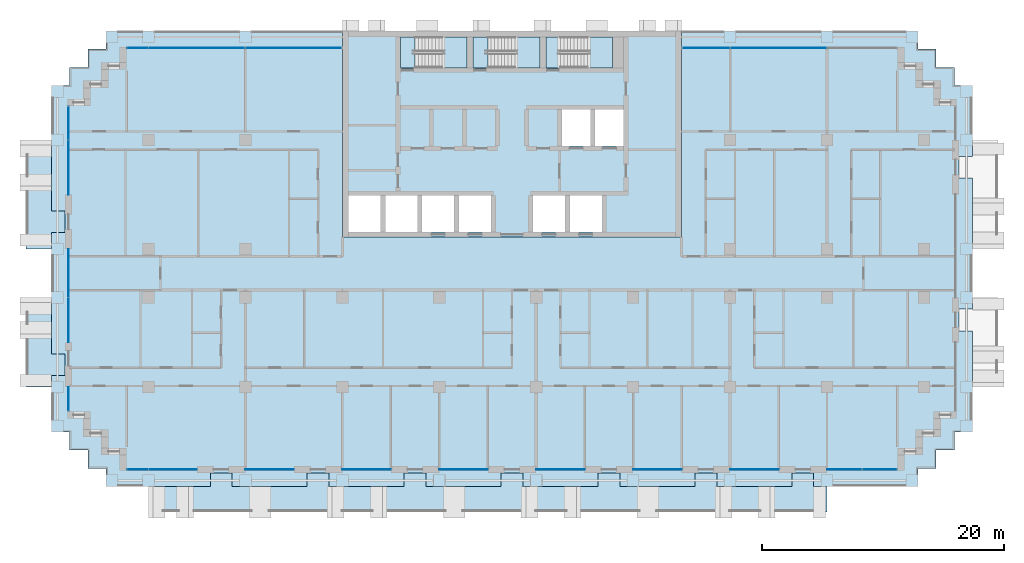
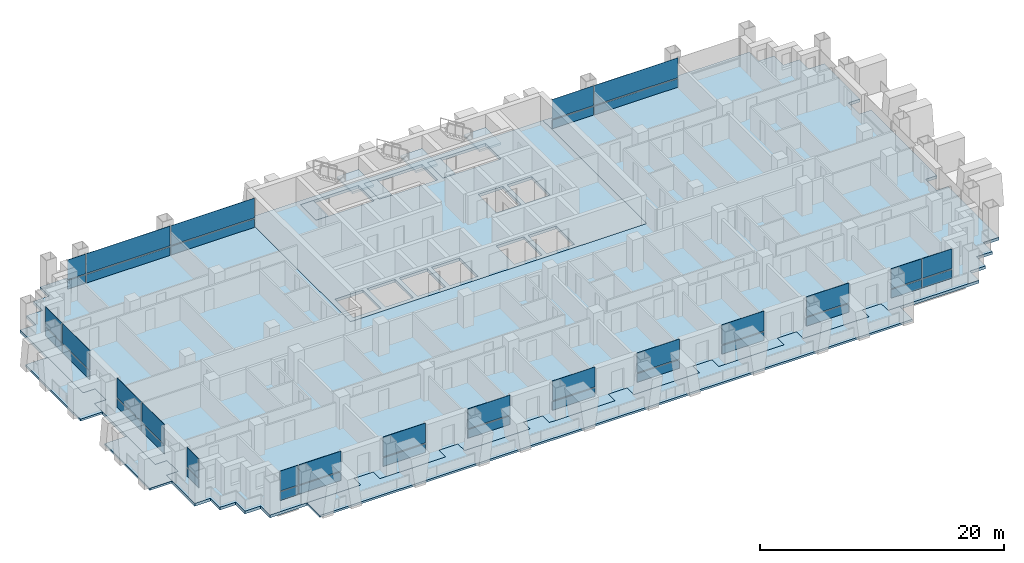
# One storey, part 7 of 18: 40 plates, 11 slabs, 16 elements without a shape of their own.
"""IFC4 building model written with IfcOpenShell, lengths in metres."""

from ifc_helpers import new_model, si_unit, direction, frame, origin, origin_2d, place, context, subcontext, project, spatial, polyline, rectangle, outline, extrude, material, layer, layer_set, type_object, element, aggregate, save


model = new_model("IFC4")

# Units and contexts
model_context = context("Model", 3, precision=1e-05, world=origin(), true_north=direction((0.0, 1.0)))
body_context = subcontext(model_context, "Body", "Model", "MODEL_VIEW")
ifc_project = project(units=[si_unit("LENGTHUNIT", "METRE"), si_unit("AREAUNIT", "SQUARE_METRE"), si_unit("VOLUMEUNIT", "CUBIC_METRE"), si_unit("PLANEANGLEUNIT", "RADIAN"), si_unit("MASSUNIT", "GRAM", prefix="KILO")], contexts=[model_context])

# Site, building, storey
site_placement = place(None, origin())
site = spatial("IfcSite", under=ifc_project, at=site_placement, CompositionType="ELEMENT")
building_placement = place(site_placement, origin())
building = spatial("IfcBuilding", under=site, at=building_placement, Name="Vidyagriha Tower", CompositionType="ELEMENT")
storey_placement = place(building_placement, frame((0.0, 0.0, 41.60009765625)))
storey = spatial("IfcBuildingStorey", under=building, at=storey_placement, Name="L10", CompositionType="ELEMENT", Elevation=41.60009765625)

# Curtain wall, plate
ifc_material_1 = material(Name="Aluminium and glass curtain wall", Category="aluminium")
curtain_wall_type = type_object("IfcCurtainWallType", Name="Dwelling skin unitised curtain wall", PredefinedType="USERDEFINED", material=ifc_material_1)
curtain_wall_1_placement = place(storey_placement, origin())
curtain_wall_1 = element("IfcCurtainWall", 1, at=curtain_wall_1_placement, inside=storey, type_object=curtain_wall_type, Name="CW1 dwelling skin", ObjectType="UNITISED", PredefinedType="USERDEFINED")
ifc_material_2 = material(Name="Glass dark ceramic-fritted spandrel", Category="glass")
ifc_layer_1 = layer(ifc_material_2, 0.0400390625)
ifc_layer_set_1 = layer_set([ifc_layer_1], Name="Glass dark ceramic-fritted spandrel")
plate_type_1 = type_object("IfcPlateType", Name="Ceramic-fritted spandrel panel", PredefinedType="CURTAIN_PANEL", material=ifc_layer_set_1)
plate_1_placement = place(storey_placement, frame((16.017578125, 18.60009765625, -0.000244140625), z_axis=(0.0, 0.0, 1.0), x_axis=(-1.0, 0.0, 0.0)))
plate_1 = element("IfcPlate", 2, at=plate_1_placement, type_object=plate_type_1, Name="CW1 panel 3.1", PredefinedType="CURTAIN_PANEL", context=body_context, shape_type="SweptSolid", body=[
    extrude(rectangle(XDim=3.89501953125, YDim=0.0400390625, at=origin_2d()), origin(), (0.0, 0.0, 1.0), 0.85009765625),
])

# Curtain wall, plates
curtain_wall_2_placement = place(storey_placement, origin())
curtain_wall_2 = element("IfcCurtainWall", 3, at=curtain_wall_2_placement, inside=storey, type_object=curtain_wall_type, Name="CW1 dwelling skin", ObjectType="UNITISED", PredefinedType="USERDEFINED")
plate_2_placement = place(storey_placement, frame((-18.017578125, 18.60009765625, -0.000244140625), z_axis=(0.0, 0.0, 1.0), x_axis=(-1.0, 0.0, 0.0)))
plate_2 = element("IfcPlate", 4, at=plate_2_placement, type_object=plate_type_1, Name="CW1 panel 1.1", PredefinedType="CURTAIN_PANEL", context=body_context, shape_type="SweptSolid", body=[
    extrude(rectangle(XDim=7.89501953125, YDim=0.0400390625, at=origin_2d()), origin(), (0.0, 0.0, 1.0), 0.85009765625),
])
plate_3_placement = place(storey_placement, frame((-30.882568359375, 18.60009765625, -0.000244140625), z_axis=(0.0, 0.0, 1.0), x_axis=(-1.0, 0.0, 0.0)))
plate_3 = element("IfcPlate", 5, at=plate_3_placement, type_object=plate_type_1, Name="CW1 panel 3.1", PredefinedType="CURTAIN_PANEL", context=body_context, shape_type="SweptSolid", body=[
    extrude(rectangle(XDim=1.695068359375, YDim=0.0400390625, at=origin_2d()), origin(), (0.0, 0.0, 1.0), 0.85009765625),
])

curtain_wall_3_placement = place(storey_placement, origin())
curtain_wall_3 = element("IfcCurtainWall", 6, at=curtain_wall_3_placement, inside=storey, type_object=curtain_wall_type, Name="CW1 dwelling skin", ObjectType="UNITISED", PredefinedType="USERDEFINED")
plate_4_placement = place(storey_placement, frame((-36.60009765625, 12.382568359375, -0.000244140625), z_axis=(0.0, 0.0, 1.0), x_axis=(0.0, -1.0, 0.0)))
plate_4 = element("IfcPlate", 7, at=plate_4_placement, type_object=plate_type_1, Name="CW1 panel 1.1", PredefinedType="CURTAIN_PANEL", context=body_context, shape_type="SweptSolid", body=[
    extrude(rectangle(XDim=2.695068359375, YDim=0.0400390625, at=origin_2d()), origin(), (0.0, 0.0, 1.0), 0.85009765625),
])
plate_5_placement = place(storey_placement, frame((-36.60009765625, 8.732421875, -0.000244140625), z_axis=(0.0, 0.0, 1.0), x_axis=(0.0, -1.0, 0.0)))
plate_5 = element("IfcPlate", 8, at=plate_5_placement, type_object=plate_type_1, Name="CW1 panel 2.1", PredefinedType="CURTAIN_PANEL", context=body_context, shape_type="SweptSolid", body=[
    extrude(rectangle(XDim=4.465087890625, YDim=0.0400390625, at=origin_2d()), origin(), (0.0, 0.0, 1.0), 0.85009765625),
])

# Curtain wall, plate
curtain_wall_4_placement = place(storey_placement, origin())
curtain_wall_4 = element("IfcCurtainWall", 9, at=curtain_wall_4_placement, inside=storey, type_object=curtain_wall_type, Name="CW1 dwelling skin", ObjectType="UNITISED", PredefinedType="USERDEFINED")
plate_6_placement = place(storey_placement, frame((-36.60009765625, -10.364990234375, -0.000244140625), z_axis=(0.0, 0.0, 1.0), x_axis=(0.0, -1.0, 0.0)))
plate_6 = element("IfcPlate", 10, at=plate_6_placement, type_object=plate_type_1, Name="CW1 panel 1.1", PredefinedType="CURTAIN_PANEL", context=body_context, shape_type="SweptSolid", body=[
    extrude(rectangle(XDim=1.929931640625, YDim=0.0400390625, at=origin_2d()), origin(), (0.0, 0.0, 1.0), 0.85009765625),
])

# Curtain wall, plates
curtain_wall_5_placement = place(storey_placement, origin())
curtain_wall_5 = element("IfcCurtainWall", 11, at=curtain_wall_5_placement, inside=storey, type_object=curtain_wall_type, Name="CW1 dwelling skin", ObjectType="UNITISED", PredefinedType="USERDEFINED")
plate_7_placement = place(storey_placement, frame((-30.882568359375, -16.199951171875, -0.000244140625)))
plate_7 = element("IfcPlate", 12, at=plate_7_placement, type_object=plate_type_1, Name="CW1 panel 1.1", PredefinedType="CURTAIN_PANEL", context=body_context, shape_type="SweptSolid", body=[
    extrude(rectangle(XDim=1.695068359375, YDim=0.0400390625, at=origin_2d()), origin(), (0.0, 0.0, 1.0), 0.85009765625),
])
plate_8_placement = place(storey_placement, frame((-27.982421875, -16.199951171875, -0.000244140625)))
plate_8 = element("IfcPlate", 13, at=plate_8_placement, type_object=plate_type_1, Name="CW1 panel 2.1", PredefinedType="CURTAIN_PANEL", context=body_context, shape_type="SweptSolid", body=[
    extrude(rectangle(XDim=3.965087890625, YDim=0.0400390625, at=origin_2d()), origin(), (0.0, 0.0, 1.0), 0.85009765625),
])

# Curtain wall, plate
curtain_wall_6_placement = place(storey_placement, origin())
curtain_wall_6 = element("IfcCurtainWall", 14, at=curtain_wall_6_placement, inside=storey, type_object=curtain_wall_type, Name="CW1 dwelling skin", ObjectType="UNITISED", PredefinedType="USERDEFINED")
plate_9_placement = place(storey_placement, frame((-12.0, -16.199951171875, -0.000244140625)))
plate_9 = element("IfcPlate", 15, at=plate_9_placement, type_object=plate_type_1, Name="CW1 panel 1.1", PredefinedType="CURTAIN_PANEL", context=body_context, shape_type="SweptSolid", body=[
    extrude(rectangle(XDim=4.0, YDim=0.0400390625, at=origin_2d()), origin(), (0.0, 0.0, 1.0), 0.85009765625),
])

curtain_wall_7_placement = place(storey_placement, origin())
curtain_wall_7 = element("IfcCurtainWall", 16, at=curtain_wall_7_placement, inside=storey, type_object=curtain_wall_type, Name="CW1 dwelling skin", ObjectType="UNITISED", PredefinedType="USERDEFINED")
plate_10_placement = place(storey_placement, frame((4.0, -16.199951171875, -0.000244140625)))
plate_10 = element("IfcPlate", 17, at=plate_10_placement, type_object=plate_type_1, Name="CW1 panel 1.1", PredefinedType="CURTAIN_PANEL", context=body_context, shape_type="SweptSolid", body=[
    extrude(rectangle(XDim=4.0, YDim=0.0400390625, at=origin_2d()), origin(), (0.0, 0.0, 1.0), 0.85009765625),
])

curtain_wall_8_placement = place(storey_placement, origin())
curtain_wall_8 = element("IfcCurtainWall", 18, at=curtain_wall_8_placement, inside=storey, type_object=curtain_wall_type, Name="CW1 dwelling skin", ObjectType="UNITISED", PredefinedType="USERDEFINED")
plate_11_placement = place(storey_placement, frame((20.0, -16.199951171875, -0.000244140625)))
plate_11 = element("IfcPlate", 19, at=plate_11_placement, type_object=plate_type_1, Name="CW1 panel 1.1", PredefinedType="CURTAIN_PANEL", context=body_context, shape_type="SweptSolid", body=[
    extrude(rectangle(XDim=4.0, YDim=0.0400390625, at=origin_2d()), origin(), (0.0, 0.0, 1.0), 0.85009765625),
])

curtain_wall_9_placement = place(storey_placement, origin())
curtain_wall_9 = element("IfcCurtainWall", 20, at=curtain_wall_9_placement, inside=storey, type_object=curtain_wall_type, Name="CW1 dwelling skin", ObjectType="UNITISED", PredefinedType="USERDEFINED")
plate_12_placement = place(storey_placement, frame((30.33251953125, -16.199951171875, -0.000244140625)))
plate_12 = element("IfcPlate", 21, at=plate_12_placement, type_object=plate_type_1, Name="CW1 panel 2.1", PredefinedType="CURTAIN_PANEL", context=body_context, shape_type="SweptSolid", body=[
    extrude(rectangle(XDim=2.794921875, YDim=0.0400390625, at=origin_2d()), origin(), (0.0, 0.0, 1.0), 0.85009765625),
])

# Slab
ifc_material_3 = material(Name="Concrete C60/75", Category="concrete")
ifc_layer_2 = layer(ifc_material_3, 0.280029296875)
ifc_layer_set_2 = layer_set([ifc_layer_2], Name="Concrete C60/75")
slab_type_1 = type_object("IfcSlabType", Name="Core floor slab 280 mm", PredefinedType="FLOOR", material=ifc_layer_set_2)
slab_1_placement = place(storey_placement, frame((0.0, 0.0, -0.280029296875)))
element("IfcSlab", 22, at=slab_1_placement, inside=storey, type_object=slab_type_1, Name="L10 core floor 1", PredefinedType="FLOOR", context=body_context, shape_type="SweptSolid", body=[
    extrude(outline(polyline([(-14.0, 3.0), (-14.0, 20.0), (14.0, 20.0), (14.0, 3.0), (-14.0, 3.0)]), holes=[polyline([(9.199951171875, 13.5), (6.86669921875, 13.5), (6.86669921875, 10.5), (9.199951171875, 10.5), (9.199951171875, 13.5)]), polyline([(4.0, 19.5), (2.800048828125, 19.5), (2.800048828125, 16.949951171875), (4.0, 16.949951171875), (8.300048828125, 16.949951171875), (8.300048828125, 19.5), (4.0, 19.5)]), polyline([(7.4111328125, 6.39990234375), (4.7666015625, 6.39990234375), (4.7666015625, 3.39990234375), (7.4111328125, 3.39990234375), (7.4111328125, 6.39990234375)]), polyline([(6.466796875, 13.5), (4.13330078125, 13.5), (4.13330078125, 10.5), (6.466796875, 10.5), (6.466796875, 13.5)]), polyline([(1.72216796875, 6.39990234375), (1.72216796875, 3.39990234375), (4.36669921875, 3.39990234375), (4.36669921875, 6.39990234375), (1.72216796875, 6.39990234375)]), polyline([(-2.0, 16.949951171875), (2.300048828125, 16.949951171875), (2.300048828125, 19.5), (-2.0, 19.5), (-3.199951171875, 19.5), (-3.199951171875, 16.949951171875), (-2.0, 16.949951171875)]), polyline([(-1.72216796875, 6.39990234375), (-4.36669921875, 6.39990234375), (-4.36669921875, 3.39990234375), (-1.72216796875, 3.39990234375), (-1.72216796875, 6.39990234375)]), polyline([(-8.0, 19.5), (-9.199951171875, 19.5), (-9.199951171875, 16.949951171875), (-8.0, 16.949951171875), (-3.699951171875, 16.949951171875), (-3.699951171875, 19.5), (-8.0, 19.5)]), polyline([(-4.7666015625, 6.39990234375), (-7.4111328125, 6.39990234375), (-7.4111328125, 3.39990234375), (-4.7666015625, 3.39990234375), (-4.7666015625, 6.39990234375)]), polyline([(-7.81103515625, 6.39990234375), (-10.45556640625, 6.39990234375), (-10.45556640625, 3.39990234375), (-7.81103515625, 3.39990234375), (-7.81103515625, 6.39990234375)]), polyline([(-13.5, 6.39990234375), (-13.5, 3.39990234375), (-10.855712890625, 3.39990234375), (-10.855712890625, 6.39990234375), (-13.5, 6.39990234375)])]), origin(), (0.0, 0.0, 1.0), 0.280029296875),
])

# Plate
ifc_material_4 = material(Name="Glass dark ceramic-fritted", Category="glass")
ifc_layer_3 = layer(ifc_material_4, 0.028076171875)
ifc_layer_set_3 = layer_set([ifc_layer_3], Name="Glass dark ceramic-fritted")
plate_type_2 = type_object("IfcPlateType", Name="Dark ceramic-fritted vision glass panel", PredefinedType="CURTAIN_PANEL", material=ifc_layer_set_3)
plate_13_placement = place(storey_placement, frame((22.0, 18.60009765625, 0.94970703125), z_axis=(0.0, 0.0, 1.0), x_axis=(-1.0, 0.0, 0.0)))
plate_13 = element("IfcPlate", 23, at=plate_13_placement, type_object=plate_type_2, Name="CW1 panel 2.2", PredefinedType="CURTAIN_PANEL", context=body_context, shape_type="SweptSolid", body=[
    extrude(rectangle(XDim=7.929931640625, YDim=0.028076171875, at=origin_2d()), origin(), (0.0, 0.0, 1.0), 1.969970703125),
])

plate_14_placement = place(storey_placement, frame((16.017578125, 18.60009765625, 0.94970703125), z_axis=(0.0, 0.0, 1.0), x_axis=(-1.0, 0.0, 0.0)))
plate_14 = element("IfcPlate", 24, at=plate_14_placement, type_object=plate_type_2, Name="CW1 panel 3.2", PredefinedType="CURTAIN_PANEL", context=body_context, shape_type="SweptSolid", body=[
    extrude(rectangle(XDim=3.89501953125, YDim=0.028076171875, at=origin_2d()), origin(), (0.0, 0.0, 1.0), 1.969970703125),
])

plate_15_placement = place(storey_placement, frame((-18.017578125, 18.60009765625, 0.94970703125), z_axis=(0.0, 0.0, 1.0), x_axis=(-1.0, 0.0, 0.0)))
plate_15 = element("IfcPlate", 25, at=plate_15_placement, type_object=plate_type_2, Name="CW1 panel 1.2", PredefinedType="CURTAIN_PANEL", context=body_context, shape_type="SweptSolid", body=[
    extrude(rectangle(XDim=7.89501953125, YDim=0.028076171875, at=origin_2d()), origin(), (0.0, 0.0, 1.0), 1.969970703125),
])

plate_16_placement = place(storey_placement, frame((-26.0, 18.60009765625, 0.94970703125), z_axis=(0.0, 0.0, 1.0), x_axis=(-1.0, 0.0, 0.0)))
plate_16 = element("IfcPlate", 26, at=plate_16_placement, type_object=plate_type_2, Name="CW1 panel 2.2", PredefinedType="CURTAIN_PANEL", context=body_context, shape_type="SweptSolid", body=[
    extrude(rectangle(XDim=7.929931640625, YDim=0.028076171875, at=origin_2d()), origin(), (0.0, 0.0, 1.0), 1.969970703125),
])

plate_17_placement = place(storey_placement, frame((-30.882568359375, 18.60009765625, 0.94970703125), z_axis=(0.0, 0.0, 1.0), x_axis=(-1.0, 0.0, 0.0)))
plate_17 = element("IfcPlate", 27, at=plate_17_placement, type_object=plate_type_2, Name="CW1 panel 3.2", PredefinedType="CURTAIN_PANEL", context=body_context, shape_type="SweptSolid", body=[
    extrude(rectangle(XDim=1.695068359375, YDim=0.028076171875, at=origin_2d()), origin(), (0.0, 0.0, 1.0), 1.969970703125),
])

plate_18_placement = place(storey_placement, frame((-36.60009765625, 12.382568359375, 0.94970703125), z_axis=(0.0, 0.0, 1.0), x_axis=(0.0, -1.0, 0.0)))
plate_18 = element("IfcPlate", 28, at=plate_18_placement, type_object=plate_type_2, Name="CW1 panel 1.2", PredefinedType="CURTAIN_PANEL", context=body_context, shape_type="SweptSolid", body=[
    extrude(rectangle(XDim=2.695068359375, YDim=0.028076171875, at=origin_2d()), origin(), (0.0, 0.0, 1.0), 1.969970703125),
])

plate_19_placement = place(storey_placement, frame((-36.60009765625, 8.732421875, 0.94970703125), z_axis=(0.0, 0.0, 1.0), x_axis=(0.0, -1.0, 0.0)))
plate_19 = element("IfcPlate", 29, at=plate_19_placement, type_object=plate_type_2, Name="CW1 panel 2.2", PredefinedType="CURTAIN_PANEL", context=body_context, shape_type="SweptSolid", body=[
    extrude(rectangle(XDim=4.465087890625, YDim=0.028076171875, at=origin_2d()), origin(), (0.0, 0.0, 1.0), 1.969970703125),
])

aggregate(curtain_wall_3, [plate_4, plate_18, plate_5, plate_19])

# Curtain wall, plates
curtain_wall_10_placement = place(storey_placement, origin())
curtain_wall_10 = element("IfcCurtainWall", 30, at=curtain_wall_10_placement, inside=storey, type_object=curtain_wall_type, Name="CW1 dwelling skin", ObjectType="UNITISED", PredefinedType="USERDEFINED")
plate_20_placement = place(storey_placement, frame((-36.60009765625, 0.017578125, 0.94970703125), z_axis=(0.0, 0.0, 1.0), x_axis=(0.0, -1.0, 0.0)))
plate_20 = element("IfcPlate", 31, at=plate_20_placement, type_object=plate_type_2, Name="CW1 panel 1.2", PredefinedType="CURTAIN_PANEL", context=body_context, shape_type="SweptSolid", body=[
    extrude(rectangle(XDim=3.965087890625, YDim=0.028076171875, at=origin_2d()), origin(), (0.0, 0.0, 1.0), 1.969970703125),
])
plate_21_placement = place(storey_placement, frame((-36.60009765625, -3.867431640625, 0.94970703125), z_axis=(0.0, 0.0, 1.0), x_axis=(0.0, -1.0, 0.0)))
plate_21 = element("IfcPlate", 32, at=plate_21_placement, type_object=plate_type_2, Name="CW1 panel 2.2", PredefinedType="CURTAIN_PANEL", context=body_context, shape_type="SweptSolid", body=[
    extrude(rectangle(XDim=3.6650390625, YDim=0.028076171875, at=origin_2d()), origin(), (0.0, 0.0, 1.0), 1.969970703125),
])

# Plate
plate_22_placement = place(storey_placement, frame((-36.60009765625, -10.364990234375, 0.94970703125), z_axis=(0.0, 0.0, 1.0), x_axis=(0.0, -1.0, 0.0)))
plate_22 = element("IfcPlate", 33, at=plate_22_placement, type_object=plate_type_2, Name="CW1 panel 1.2", PredefinedType="CURTAIN_PANEL", context=body_context, shape_type="SweptSolid", body=[
    extrude(rectangle(XDim=1.929931640625, YDim=0.028076171875, at=origin_2d()), origin(), (0.0, 0.0, 1.0), 1.969970703125),
])

aggregate(curtain_wall_4, [plate_6, plate_22])

plate_23_placement = place(storey_placement, frame((-30.882568359375, -16.199951171875, 0.94970703125)))
plate_23 = element("IfcPlate", 34, at=plate_23_placement, type_object=plate_type_2, Name="CW1 panel 1.2", PredefinedType="CURTAIN_PANEL", context=body_context, shape_type="SweptSolid", body=[
    extrude(rectangle(XDim=1.695068359375, YDim=0.028076171875, at=origin_2d()), origin(), (0.0, 0.0, 1.0), 1.969970703125),
])

plate_24_placement = place(storey_placement, frame((-27.982421875, -16.199951171875, 0.94970703125)))
plate_24 = element("IfcPlate", 35, at=plate_24_placement, type_object=plate_type_2, Name="CW1 panel 2.2", PredefinedType="CURTAIN_PANEL", context=body_context, shape_type="SweptSolid", body=[
    extrude(rectangle(XDim=3.965087890625, YDim=0.028076171875, at=origin_2d()), origin(), (0.0, 0.0, 1.0), 1.969970703125),
])

aggregate(curtain_wall_5, [plate_7, plate_23, plate_8, plate_24])

# Curtain wall, plate
curtain_wall_11_placement = place(storey_placement, origin())
curtain_wall_11 = element("IfcCurtainWall", 36, at=curtain_wall_11_placement, inside=storey, type_object=curtain_wall_type, Name="CW1 dwelling skin", ObjectType="UNITISED", PredefinedType="USERDEFINED")
plate_25_placement = place(storey_placement, frame((-20.0, -16.199951171875, 0.94970703125)))
plate_25 = element("IfcPlate", 37, at=plate_25_placement, type_object=plate_type_2, Name="CW1 panel 1.2", PredefinedType="CURTAIN_PANEL", context=body_context, shape_type="SweptSolid", body=[
    extrude(rectangle(XDim=4.0, YDim=0.028076171875, at=origin_2d()), origin(), (0.0, 0.0, 1.0), 1.969970703125),
])

# Plate
plate_26_placement = place(storey_placement, frame((-12.0, -16.199951171875, 0.94970703125)))
plate_26 = element("IfcPlate", 38, at=plate_26_placement, type_object=plate_type_2, Name="CW1 panel 1.2", PredefinedType="CURTAIN_PANEL", context=body_context, shape_type="SweptSolid", body=[
    extrude(rectangle(XDim=4.0, YDim=0.028076171875, at=origin_2d()), origin(), (0.0, 0.0, 1.0), 1.969970703125),
])

aggregate(curtain_wall_6, [plate_9, plate_26])

# Curtain wall, plate
curtain_wall_12_placement = place(storey_placement, origin())
curtain_wall_12 = element("IfcCurtainWall", 39, at=curtain_wall_12_placement, inside=storey, type_object=curtain_wall_type, Name="CW1 dwelling skin", ObjectType="UNITISED", PredefinedType="USERDEFINED")
plate_27_placement = place(storey_placement, frame((-4.0, -16.199951171875, 0.94970703125)))
plate_27 = element("IfcPlate", 40, at=plate_27_placement, type_object=plate_type_2, Name="CW1 panel 1.2", PredefinedType="CURTAIN_PANEL", context=body_context, shape_type="SweptSolid", body=[
    extrude(rectangle(XDim=4.0, YDim=0.028076171875, at=origin_2d()), origin(), (0.0, 0.0, 1.0), 1.969970703125),
])

# Plate
plate_28_placement = place(storey_placement, frame((4.0, -16.199951171875, 0.94970703125)))
plate_28 = element("IfcPlate", 41, at=plate_28_placement, type_object=plate_type_2, Name="CW1 panel 1.2", PredefinedType="CURTAIN_PANEL", context=body_context, shape_type="SweptSolid", body=[
    extrude(rectangle(XDim=4.0, YDim=0.028076171875, at=origin_2d()), origin(), (0.0, 0.0, 1.0), 1.969970703125),
])

aggregate(curtain_wall_7, [plate_10, plate_28])

# Curtain wall, plate
curtain_wall_13_placement = place(storey_placement, origin())
curtain_wall_13 = element("IfcCurtainWall", 42, at=curtain_wall_13_placement, inside=storey, type_object=curtain_wall_type, Name="CW1 dwelling skin", ObjectType="UNITISED", PredefinedType="USERDEFINED")
plate_29_placement = place(storey_placement, frame((12.0, -16.199951171875, 0.94970703125)))
plate_29 = element("IfcPlate", 43, at=plate_29_placement, type_object=plate_type_2, Name="CW1 panel 1.2", PredefinedType="CURTAIN_PANEL", context=body_context, shape_type="SweptSolid", body=[
    extrude(rectangle(XDim=4.0, YDim=0.028076171875, at=origin_2d()), origin(), (0.0, 0.0, 1.0), 1.969970703125),
])

# Plate
plate_30_placement = place(storey_placement, frame((20.0, -16.199951171875, 0.94970703125)))
plate_30 = element("IfcPlate", 44, at=plate_30_placement, type_object=plate_type_2, Name="CW1 panel 1.2", PredefinedType="CURTAIN_PANEL", context=body_context, shape_type="SweptSolid", body=[
    extrude(rectangle(XDim=4.0, YDim=0.028076171875, at=origin_2d()), origin(), (0.0, 0.0, 1.0), 1.969970703125),
])

aggregate(curtain_wall_8, [plate_11, plate_30])

plate_31_placement = place(storey_placement, frame((27.4326171875, -16.199951171875, 0.94970703125)))
plate_31 = element("IfcPlate", 45, at=plate_31_placement, type_object=plate_type_2, Name="CW1 panel 1.2", PredefinedType="CURTAIN_PANEL", context=body_context, shape_type="SweptSolid", body=[
    extrude(rectangle(XDim=2.864990234375, YDim=0.028076171875, at=origin_2d()), origin(), (0.0, 0.0, 1.0), 1.969970703125),
])

plate_32_placement = place(storey_placement, frame((30.33251953125, -16.199951171875, 0.94970703125)))
plate_32 = element("IfcPlate", 46, at=plate_32_placement, type_object=plate_type_2, Name="CW1 panel 2.2", PredefinedType="CURTAIN_PANEL", context=body_context, shape_type="SweptSolid", body=[
    extrude(rectangle(XDim=2.794921875, YDim=0.028076171875, at=origin_2d()), origin(), (0.0, 0.0, 1.0), 1.969970703125),
])

# Slabs
ifc_material_5 = material(Name="Concrete C40/50", Category="concrete")
ifc_layer_4 = layer(ifc_material_5, 0.280029296875)
ifc_layer_set_4 = layer_set([ifc_layer_4], Name="Concrete C40/50")
slab_type_2 = type_object("IfcSlabType", Name="Exit stair floor landing 280 mm", PredefinedType="LANDING", material=ifc_layer_set_4)
slab_2_placement = place(storey_placement, frame((0.0, 0.0, -0.280029296875)))
element("IfcSlab", 47, at=slab_2_placement, inside=storey, type_object=slab_type_2, Name="ST1 floor landing L10", PredefinedType="LANDING", context=body_context, shape_type="SweptSolid", body=[
    extrude(outline(polyline([(-9.199951171875, 16.949951171875), (-8.0, 16.949951171875), (-8.0, 19.5), (-9.199951171875, 19.5), (-9.199951171875, 16.949951171875)])), origin(), (0.0, 0.0, 1.0), 0.280029296875),
])
slab_3_placement = place(storey_placement, frame((0.0, 0.0, -0.280029296875)))
element("IfcSlab", 48, at=slab_3_placement, inside=storey, type_object=slab_type_2, Name="ST2 floor landing L10", PredefinedType="LANDING", context=body_context, shape_type="SweptSolid", body=[
    extrude(outline(polyline([(-3.199951171875, 16.949951171875), (-2.0, 16.949951171875), (-2.0, 19.5), (-3.199951171875, 19.5), (-3.199951171875, 16.949951171875)])), origin(), (0.0, 0.0, 1.0), 0.280029296875),
])
slab_4_placement = place(storey_placement, frame((0.0, 0.0, -0.280029296875)))
element("IfcSlab", 49, at=slab_4_placement, inside=storey, type_object=slab_type_2, Name="ST3 floor landing L10", PredefinedType="LANDING", context=body_context, shape_type="SweptSolid", body=[
    extrude(outline(polyline([(2.800048828125, 16.949951171875), (4.0, 16.949951171875), (4.0, 19.5), (2.800048828125, 19.5), (2.800048828125, 16.949951171875)])), origin(), (0.0, 0.0, 1.0), 0.280029296875),
])

# Stair, slab
ifc_material_6 = material(Name="Concrete C40/50", Category="concrete")
stair_type = type_object("IfcStairType", Name="Exit stair, half-turn, precast flights", PredefinedType="HALF_TURN_STAIR", material=ifc_material_6)
stair_1_placement = place(storey_placement, origin())
stair_1 = element("IfcStair", 50, at=stair_1_placement, inside=storey, type_object=stair_type, Name="L10 Exit Stair ST1", PredefinedType="HALF_TURN_STAIR")
ifc_material_7 = material(Name="Concrete C40/50", Category="concrete")
ifc_layer_5 = layer(ifc_material_7, 0.199951171875)
ifc_layer_set_5 = layer_set([ifc_layer_5], Name="Concrete C40/50")
slab_type_3 = type_object("IfcSlabType", Name="Exit stair landing 200 mm", PredefinedType="LANDING", material=ifc_layer_set_5)
slab_5_placement = place(storey_placement, frame((0.0, 0.0, 1.39990234375)))
slab_5 = element("IfcSlab", 51, at=slab_5_placement, type_object=slab_type_3, Name="ST1 landing 1", PredefinedType="LANDING", context=body_context, shape_type="SweptSolid", body=[
    extrude(outline(polyline([(-5.760009765625, 16.949951171875), (-3.699951171875, 16.949951171875), (-3.699951171875, 19.5), (-5.760009765625, 19.5), (-5.760009765625, 16.949951171875)])), origin(), (0.0, 0.0, 1.0), 0.199951171875),
])
aggregate(stair_1, [slab_5])

stair_2_placement = place(storey_placement, origin())
stair_2 = element("IfcStair", 52, at=stair_2_placement, inside=storey, type_object=stair_type, Name="L10 Exit Stair ST2", PredefinedType="HALF_TURN_STAIR")
slab_6_placement = place(storey_placement, frame((0.0, 0.0, 1.39990234375)))
slab_6 = element("IfcSlab", 53, at=slab_6_placement, type_object=slab_type_3, Name="ST2 landing 1", PredefinedType="LANDING", context=body_context, shape_type="SweptSolid", body=[
    extrude(outline(polyline([(0.239990234375, 16.949951171875), (2.300048828125, 16.949951171875), (2.300048828125, 19.5), (0.239990234375, 19.5), (0.239990234375, 16.949951171875)])), origin(), (0.0, 0.0, 1.0), 0.199951171875),
])
aggregate(stair_2, [slab_6])

stair_3_placement = place(storey_placement, origin())
stair_3 = element("IfcStair", 54, at=stair_3_placement, inside=storey, type_object=stair_type, Name="L10 Exit Stair ST3", PredefinedType="HALF_TURN_STAIR")
slab_7_placement = place(storey_placement, frame((0.0, 0.0, 1.39990234375)))
slab_7 = element("IfcSlab", 55, at=slab_7_placement, type_object=slab_type_3, Name="ST3 landing 1", PredefinedType="LANDING", context=body_context, shape_type="SweptSolid", body=[
    extrude(outline(polyline([(6.239990234375, 16.949951171875), (8.300048828125, 16.949951171875), (8.300048828125, 19.5), (6.239990234375, 19.5), (6.239990234375, 16.949951171875)])), origin(), (0.0, 0.0, 1.0), 0.199951171875),
])
aggregate(stair_3, [slab_7])

# Plate
ifc_material_8 = material(Name="Aluminium black anodised", Category="aluminium")
ifc_layer_6 = layer(ifc_material_8, 0.06005859375)
ifc_layer_set_6 = layer_set([ifc_layer_6], Name="Aluminium black anodised")
plate_type_3 = type_object("IfcPlateType", Name="Operable black-metal vent panel", PredefinedType="CURTAIN_PANEL", material=ifc_layer_set_6)
plate_33_placement = place(storey_placement, frame((22.0, 18.60009765625, -0.000244140625), z_axis=(0.0, 0.0, 1.0), x_axis=(-1.0, 0.0, 0.0)))
plate_33 = element("IfcPlate", 56, at=plate_33_placement, type_object=plate_type_3, Name="CW1 panel 2.1", PredefinedType="CURTAIN_PANEL", context=body_context, shape_type="SweptSolid", body=[
    extrude(rectangle(XDim=7.929931640625, YDim=0.06005859375, at=origin_2d()), origin(), (0.0, 0.0, 1.0), 0.85009765625),
])

aggregate(curtain_wall_1, [plate_33, plate_13, plate_1, plate_14])

plate_34_placement = place(storey_placement, frame((-26.0, 18.60009765625, -0.000244140625), z_axis=(0.0, 0.0, 1.0), x_axis=(-1.0, 0.0, 0.0)))
plate_34 = element("IfcPlate", 57, at=plate_34_placement, type_object=plate_type_3, Name="CW1 panel 2.1", PredefinedType="CURTAIN_PANEL", context=body_context, shape_type="SweptSolid", body=[
    extrude(rectangle(XDim=7.929931640625, YDim=0.06005859375, at=origin_2d()), origin(), (0.0, 0.0, 1.0), 0.85009765625),
])

aggregate(curtain_wall_2, [plate_2, plate_15, plate_34, plate_16, plate_3, plate_17])

plate_35_placement = place(storey_placement, frame((-36.60009765625, 0.017578125, -0.000244140625), z_axis=(0.0, 0.0, 1.0), x_axis=(0.0, -1.0, 0.0)))
plate_35 = element("IfcPlate", 58, at=plate_35_placement, type_object=plate_type_3, Name="CW1 panel 1.1", PredefinedType="CURTAIN_PANEL", context=body_context, shape_type="SweptSolid", body=[
    extrude(rectangle(XDim=3.965087890625, YDim=0.06005859375, at=origin_2d()), origin(), (0.0, 0.0, 1.0), 0.85009765625),
])

plate_36_placement = place(storey_placement, frame((-36.60009765625, -3.867431640625, -0.000244140625), z_axis=(0.0, 0.0, 1.0), x_axis=(0.0, -1.0, 0.0)))
plate_36 = element("IfcPlate", 59, at=plate_36_placement, type_object=plate_type_3, Name="CW1 panel 2.1", PredefinedType="CURTAIN_PANEL", context=body_context, shape_type="SweptSolid", body=[
    extrude(rectangle(XDim=3.6650390625, YDim=0.06005859375, at=origin_2d()), origin(), (0.0, 0.0, 1.0), 0.85009765625),
])

aggregate(curtain_wall_10, [plate_35, plate_20, plate_36, plate_21])

plate_37_placement = place(storey_placement, frame((-20.0, -16.199951171875, -0.000244140625)))
plate_37 = element("IfcPlate", 60, at=plate_37_placement, type_object=plate_type_3, Name="CW1 panel 1.1", PredefinedType="CURTAIN_PANEL", context=body_context, shape_type="SweptSolid", body=[
    extrude(rectangle(XDim=4.0, YDim=0.06005859375, at=origin_2d()), origin(), (0.0, 0.0, 1.0), 0.85009765625),
])

aggregate(curtain_wall_11, [plate_37, plate_25])

plate_38_placement = place(storey_placement, frame((-4.0, -16.199951171875, -0.000244140625)))
plate_38 = element("IfcPlate", 61, at=plate_38_placement, type_object=plate_type_3, Name="CW1 panel 1.1", PredefinedType="CURTAIN_PANEL", context=body_context, shape_type="SweptSolid", body=[
    extrude(rectangle(XDim=4.0, YDim=0.06005859375, at=origin_2d()), origin(), (0.0, 0.0, 1.0), 0.85009765625),
])

aggregate(curtain_wall_12, [plate_38, plate_27])

plate_39_placement = place(storey_placement, frame((12.0, -16.199951171875, -0.000244140625)))
plate_39 = element("IfcPlate", 62, at=plate_39_placement, type_object=plate_type_3, Name="CW1 panel 1.1", PredefinedType="CURTAIN_PANEL", context=body_context, shape_type="SweptSolid", body=[
    extrude(rectangle(XDim=4.0, YDim=0.06005859375, at=origin_2d()), origin(), (0.0, 0.0, 1.0), 0.85009765625),
])

aggregate(curtain_wall_13, [plate_39, plate_29])

plate_40_placement = place(storey_placement, frame((27.4326171875, -16.199951171875, -0.000244140625)))
plate_40 = element("IfcPlate", 63, at=plate_40_placement, type_object=plate_type_3, Name="CW1 panel 1.1", PredefinedType="CURTAIN_PANEL", context=body_context, shape_type="SweptSolid", body=[
    extrude(rectangle(XDim=2.864990234375, YDim=0.06005859375, at=origin_2d()), origin(), (0.0, 0.0, 1.0), 0.85009765625),
])

aggregate(curtain_wall_9, [plate_40, plate_31, plate_12, plate_32])

# Slabs
ifc_material_9 = material(Name="Concrete C50/60", Category="concrete")
ifc_layer_7 = layer(ifc_material_9, 0.280029296875)
ifc_layer_set_7 = layer_set([ifc_layer_7], Name="Concrete C50/60")
slab_type_4 = type_object("IfcSlabType", Name="Post-tensioned flat plate 280", PredefinedType="FLOOR", material=ifc_layer_set_7)
slab_8_placement = place(storey_placement, frame((0.0, 0.0, -0.280029296875)))
element("IfcSlab", 64, at=slab_8_placement, inside=storey, type_object=slab_type_4, Name="st-slab-L10-1", PredefinedType="FLOOR", context=body_context, shape_type="SweptSolid", body=[
    extrude(outline(polyline([(36.5, -14.60009765625), (35.0, -14.60009765625), (35.0, -16.10009765625), (33.5, -16.10009765625), (33.5, -17.60009765625), (24.89990234375, -17.60009765625), (24.89990234375, -16.5), (23.10009765625, -16.5), (23.10009765625, -17.60009765625), (16.89990234375, -17.60009765625), (16.89990234375, -16.5), (15.10009765625, -16.5), (15.10009765625, -17.60009765625), (8.89990234375, -17.60009765625), (8.89990234375, -16.5), (7.10009765625, -16.5), (7.10009765625, -17.60009765625), (0.89990234375, -17.60009765625), (0.89990234375, -16.5), (-0.89990234375, -16.5), (-0.89990234375, -17.60009765625), (-7.10009765625, -17.60009765625), (-7.10009765625, -16.5), (-8.89990234375, -16.5), (-8.89990234375, -17.60009765625), (-15.10009765625, -17.60009765625), (-15.10009765625, -16.5), (-16.89990234375, -16.5), (-16.89990234375, -17.60009765625), (-23.10009765625, -17.60009765625), (-23.10009765625, -16.5), (-24.89990234375, -16.5), (-24.89990234375, -17.60009765625), (-33.5, -17.60009765625), (-33.5, -16.10009765625), (-35.0, -16.10009765625), (-35.0, -14.60009765625), (-36.5, -14.60009765625), (-36.5, -13.10009765625), (-38.0, -13.10009765625), (-38.0, -8.449951171875), (-36.89990234375, -8.449951171875), (-36.89990234375, -6.64990234375), (-38.0, -6.64990234375), (-38.0, 3.35009765625), (-36.89990234375, 3.35009765625), (-36.89990234375, 5.14990234375), (-38.0, 5.14990234375), (-38.0, 15.5), (-36.5, 15.5), (-36.5, 17.0), (-35.0, 17.0), (-35.0, 18.5), (-33.5, 18.5), (-33.5, 20.0), (-14.0, 20.0), (-14.0, 3.0), (14.0, 3.0), (14.0, 20.0), (33.5, 20.0), (33.5, 18.5), (35.0, 18.5), (35.0, 17.0), (36.5, 17.0), (36.5, 15.5), (38.0, 15.5), (38.0, 9.64990234375), (36.89990234375, 9.64990234375), (36.89990234375, 7.85009765625), (38.0, 7.85009765625), (38.0, -2.949951171875), (36.89990234375, -2.949951171875), (36.89990234375, -4.75), (38.0, -4.75), (38.0, -13.10009765625), (36.5, -13.10009765625), (36.5, -14.60009765625)])), origin(), (0.0, 0.0, 1.0), 0.280029296875),
])
ifc_material_10 = material(Name="Precast concrete C40/50", Category="concrete")
ifc_layer_8 = layer(ifc_material_10, 0.199951171875)
ifc_layer_set_8 = layer_set([ifc_layer_8], Name="Precast concrete C40/50")
slab_type_5 = type_object("IfcSlabType", Name="Precast balcony slab 200", PredefinedType="USERDEFINED", material=ifc_layer_set_8)
slab_9_placement = place(storey_placement, frame((0.0, 0.0, -0.2001953125)))
element("IfcSlab", 65, at=slab_9_placement, inside=storey, type_object=slab_type_5, Name="Balcony slab L10 R16.1-1", ObjectType="BALCONY", PredefinedType="USERDEFINED", context=body_context, shape_type="SweptSolid", body=[
    extrude(outline(polyline([(-36.89990234375, 3.35009765625), (-36.89990234375, 5.14990234375), (-38.0, 5.14990234375), (-38.0, 11.0), (-40.10009765625, 11.0), (-40.10009765625, 2.0), (-38.0, 2.0), (-38.0, 3.35009765625), (-36.89990234375, 3.35009765625)])), origin(), (0.0, 0.0, 1.0), 0.2001953125),
])
slab_10_placement = place(storey_placement, frame((0.0, 0.0, -0.2001953125)))
element("IfcSlab", 66, at=slab_10_placement, inside=storey, type_object=slab_type_5, Name="Balcony slab L10 R16.2-2", ObjectType="BALCONY", PredefinedType="USERDEFINED", context=body_context, shape_type="SweptSolid", body=[
    extrude(outline(polyline([(-36.89990234375, -8.449951171875), (-36.89990234375, -6.64990234375), (-38.0, -6.64990234375), (-38.0, -2.0), (-40.10009765625, -2.0), (-40.10009765625, -9.39990234375), (-38.0, -9.39990234375), (-38.0, -8.449951171875), (-36.89990234375, -8.449951171875)])), origin(), (0.0, 0.0, 1.0), 0.2001953125),
])
slab_11_placement = place(storey_placement, frame((0.0, 0.0, -0.2001953125)))
element("IfcSlab", 67, at=slab_11_placement, inside=storey, type_object=slab_type_5, Name="Balcony slab L10 R23.1-7", ObjectType="BALCONY", PredefinedType="USERDEFINED", context=body_context, shape_type="SweptSolid", body=[
    extrude(outline(polyline([(-23.10009765625, -16.5), (-24.89990234375, -16.5), (-24.89990234375, -17.60009765625), (-30.0, -17.60009765625), (-30.0, -19.699951171875), (26.0, -19.699951171875), (26.0, -17.60009765625), (24.89990234375, -17.60009765625), (24.89990234375, -16.5), (23.10009765625, -16.5), (23.10009765625, -17.60009765625), (16.89990234375, -17.60009765625), (16.89990234375, -16.5), (15.10009765625, -16.5), (15.10009765625, -17.60009765625), (8.89990234375, -17.60009765625), (8.89990234375, -16.5), (7.10009765625, -16.5), (7.10009765625, -17.60009765625), (0.89990234375, -17.60009765625), (0.89990234375, -16.5), (-0.89990234375, -16.5), (-0.89990234375, -17.60009765625), (-7.10009765625, -17.60009765625), (-7.10009765625, -16.5), (-8.89990234375, -16.5), (-8.89990234375, -17.60009765625), (-15.10009765625, -17.60009765625), (-15.10009765625, -16.5), (-16.89990234375, -16.5), (-16.89990234375, -17.60009765625), (-23.10009765625, -17.60009765625), (-23.10009765625, -16.5)])), origin(), (0.0, 0.0, 1.0), 0.2001953125),
])

save(model, "model.ifc")
